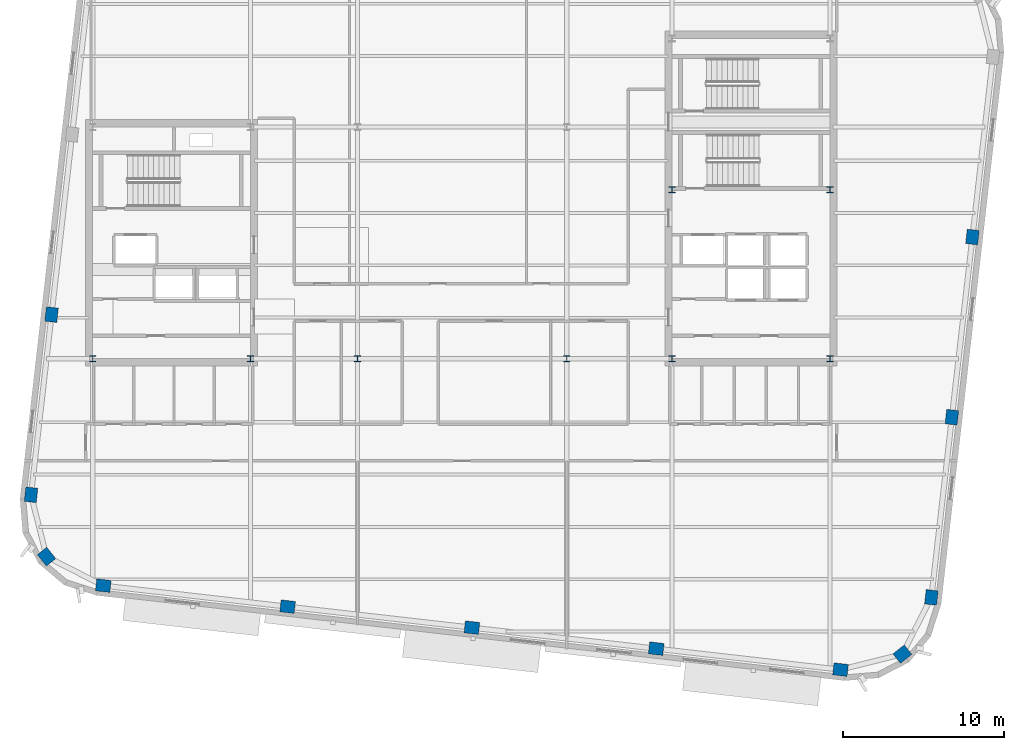
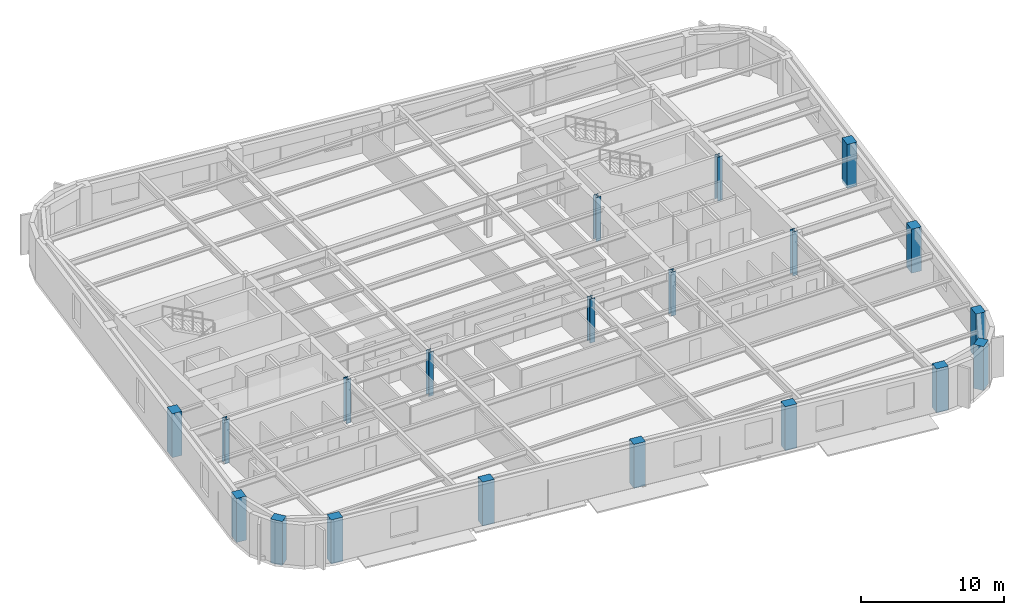
# One storey, part 1 of 14: 20 columns.
"""IFC4 building model written with IfcOpenShell, lengths in metres."""

from ifc_helpers import new_model, si_unit, direction, frame, origin, origin_2d, place, context, subcontext, project, spatial, rectangle, i_section, extrude, material, material_profile, profile_set, type_object, element, save


model = new_model("IFC4")

# Units and contexts
model_context = context("Model", 3, precision=1e-05, world=origin(), true_north=direction((0.0, 1.0)))
body_context = subcontext(model_context, "Body", "Model", "MODEL_VIEW")
ifc_project = project(units=[si_unit("LENGTHUNIT", "METRE"), si_unit("AREAUNIT", "SQUARE_METRE"), si_unit("VOLUMEUNIT", "CUBIC_METRE"), si_unit("PLANEANGLEUNIT", "RADIAN"), si_unit("MASSUNIT", "GRAM", prefix="KILO")], contexts=[model_context])

# Site, building, storey
site_placement = place(None, origin())
site = spatial("IfcSite", under=ifc_project, at=site_placement, CompositionType="ELEMENT")
building_placement = place(site_placement, origin())
building = spatial("IfcBuilding", under=site, at=building_placement, Name="Kolvaren Arena Tower", CompositionType="ELEMENT")
storey_placement = place(building_placement, frame((0.0, 0.0, 258.449951171875)))
storey = spatial("IfcBuildingStorey", under=building, at=storey_placement, Name="L63", CompositionType="ELEMENT", Elevation=258.449951171875)

# Columns
ifc_material_1 = material(Name="Precast concrete C55/67", Category="concrete")
ifc_material_profile_1 = material_profile(ifc_material_1, rectangle(XDim=0.89990234375, YDim=0.75, at=origin_2d()), Name="RC-900x750")
ifc_profile_set_1 = profile_set([ifc_material_profile_1], Name="Precast concrete C55/67")
column_type_1 = type_object("IfcColumnType", Name="EXCOL-Z4", PredefinedType="COLUMN", material=ifc_profile_set_1)
for number, where, z_axis, x_axis, name in (
    (1, (15.207763671875, 5.350830078125, -0.27001953125), (0.0, 0.0, 1.0), (0.993571855677, -0.113203213768, 0.0), "Exoskeleton Perimeter Column 01 (L63)"),
    (2, (26.65869140625, 4.046142578125, -0.27001953125), (0.0, 0.0, 1.0), (0.993571855677, -0.113203213768, 0.0), "Exoskeleton Perimeter Column 02 (L63)"),
    (3, (38.109619140625, 2.741455078125, -0.27001953125), (0.0, 0.0, 1.0), (0.993571855677, -0.113203213768, 0.0), "Exoskeleton Perimeter Column 03 (L63)"),
    (4, (49.560302734375, 1.436767578125, -0.27001953125), (0.0, 0.0, 1.0), (0.993571855677, -0.113203213768, 0.0), "Exoskeleton Perimeter Column 04 (L63)"),
    (5, (61.011474609375, 0.132080078125, -0.27001953125), (0.0, 0.0, 1.0), (0.993571855677, -0.113203213768, 0.0), "Exoskeleton Perimeter Column 05 (L63)"),
    (6, (64.853759765625, 1.094482421875, -0.27001953125), (0.0, 0.0, 1.0), (0.782608156852, 0.622514636638, 0.0), "Exoskeleton Perimeter Column 06 (L63)"),
    (7, (66.656005859375, 4.6220703125, -0.27001953125), (0.0, 0.0, 1.0), (0.113203213768, 0.993571855677, 0.0), "Exoskeleton Perimeter Column 07 (L63)"),
    (8, (67.931396484375, 15.816162109375, -0.27001953125), (0.0, 0.0, 1.0), (0.113203213768, 0.993571855677, 0.0), "Exoskeleton Perimeter Column 08 (L63)"),
    (9, (69.206787109375, 27.010498046875, -0.27001953125), (0.0, 0.0, 1.0), (0.113203213768, 0.993571855677, 0.0), "Exoskeleton Perimeter Column 09 (L63)"),
    (10, (11.9931640625, 22.189453125, -0.27001953125), (0.0, 0.0, 1.0), (0.113203213768, 0.993571855677, 0.0), "Exoskeleton Perimeter Column 20 (L63)"),
    (11, (10.7177734375, 10.995361328125, -0.27001953125), (0.0, 0.0, 1.0), (0.113203213768, 0.993571855677, 0.0), "Exoskeleton Perimeter Column 21 (L63)"),
    (12, (11.680419921875, 7.15283203125, -0.27001953125), (0.0, 0.0, 1.0), (-0.622514636638, 0.782608156852, 0.0), "Exoskeleton Perimeter Column 22 (L63)"),
):
    element("IfcColumn", number, at=place(storey_placement, frame(where, z_axis=z_axis, x_axis=x_axis)), inside=storey, type_object=column_type_1, Name=name, PredefinedType="COLUMN", context=body_context, shape_type="SweptSolid", body=[
        extrude(rectangle(XDim=0.89990234375, YDim=0.75, at=origin_2d()), origin(), (0.0, 0.0, 1.0), 3.75),
    ])
ifc_material_2 = material(Name="Steel ASTM A913 Grade 65", Category="steel")
ifc_material_profile_2 = material_profile(ifc_material_2, i_section(OverallWidth=0.39892578125, OverallDepth=0.39306640625, WebThickness=0.022705078125, FlangeThickness=0.03662109375, FilletRadius=0.02001953125, at=origin_2d()), Name="W360x287")
ifc_profile_set_2 = profile_set([ifc_material_profile_2], Name="Steel ASTM A913 Grade 65")
column_type_2 = type_object("IfcColumnType", Name="SCOL-Z4", PredefinedType="COLUMN", material=ifc_profile_set_2)
for number, where, z_axis, x_axis, name in (
    (13, (14.550048828125, 19.449951171875, -0.27001953125), (0.0, 0.0, 1.0), (1.0, 0.0, 0.0), "Core Boundary Column WC-SW (L63)"),
    (14, (24.35009765625, 19.449951171875, -0.27001953125), (0.0, 0.0, 1.0), (1.0, 0.0, 0.0), "Core Boundary Column WC-SE (L63)"),
    (15, (50.550048828125, 19.449951171875, -0.27001953125), (0.0, 0.0, 1.0), (1.0, 0.0, 0.0), "Core Boundary Column EC-SW (L63)"),
    (16, (60.35009765625, 19.449951171875, -0.27001953125), (0.0, 0.0, 1.0), (1.0, 0.0, 0.0), "Core Boundary Column EC-SE (L63)"),
    (17, (50.550048828125, 29.949951171875, -0.27001953125), (0.0, 0.0, 1.0), (1.0, 0.0, 0.0), "Core Boundary Column EC-MW (L63)"),
    (18, (60.35009765625, 29.949951171875, -0.27001953125), (0.0, 0.0, 1.0), (1.0, 0.0, 0.0), "Core Boundary Column EC-ME (L63)"),
    (19, (31.0, 19.449951171875, -0.27001953125), (0.0, 0.0, 1.0), (1.0, 0.0, 0.0), "Interior Gravity Column TC-SW (L63)"),
    (20, (44.0, 19.449951171875, -0.27001953125), (0.0, 0.0, 1.0), (1.0, 0.0, 0.0), "Interior Gravity Column TC-SE (L63)"),
):
    element("IfcColumn", number, at=place(storey_placement, frame(where, z_axis=z_axis, x_axis=x_axis)), inside=storey, type_object=column_type_2, Name=name, PredefinedType="COLUMN", context=body_context, shape_type="SweptSolid", body=[
        extrude(i_section(OverallWidth=0.39892578125, OverallDepth=0.39306640625, WebThickness=0.022705078125, FlangeThickness=0.03662109375, FilletRadius=0.02001953125, at=origin_2d()), origin(), (0.0, 0.0, 1.0), 3.75),
    ])

save(model, "model.ifc")
